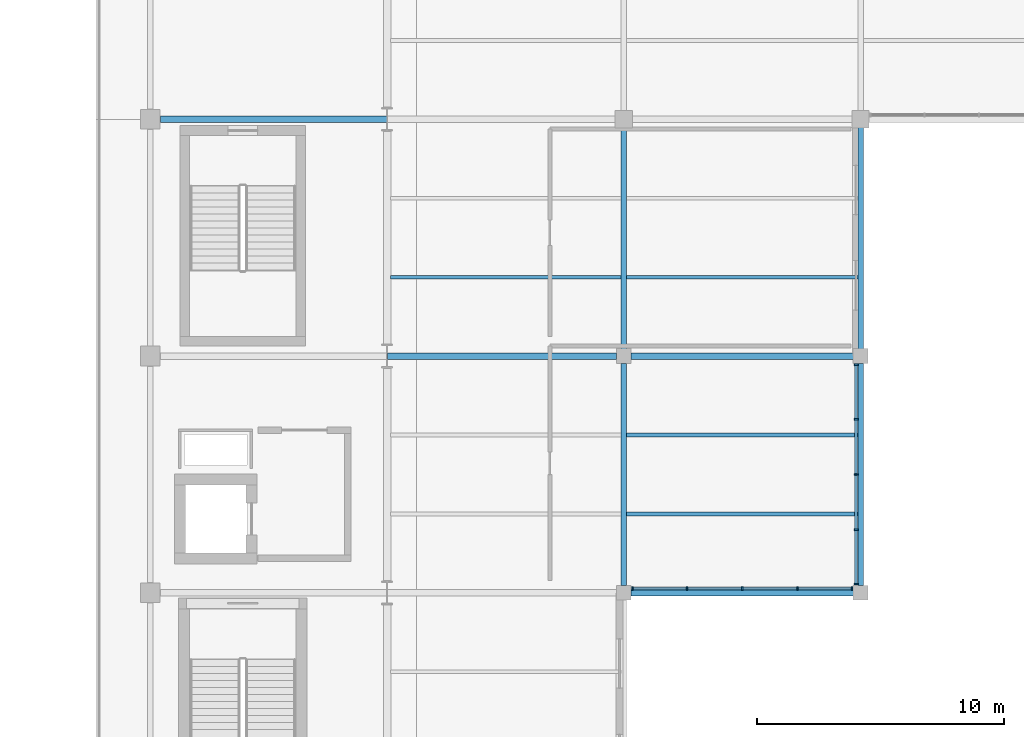
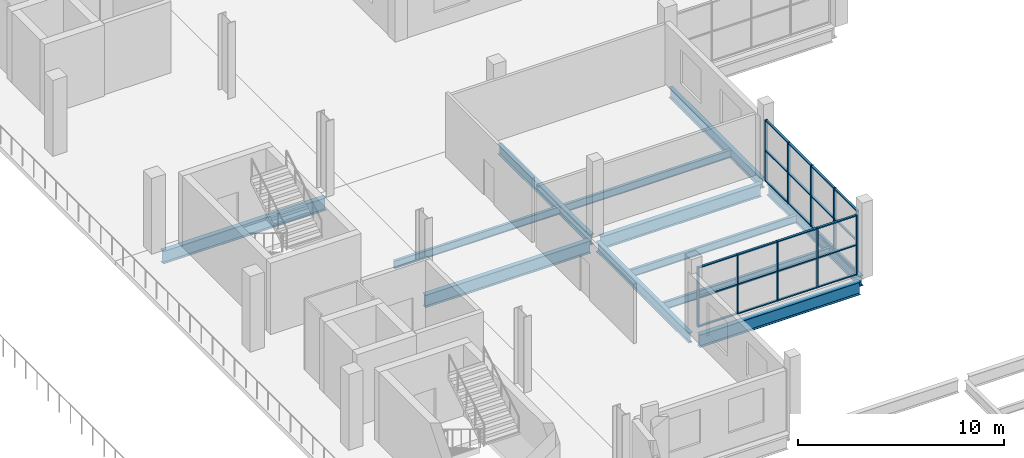
# One storey, part 22 of 75: 34 members, 12 beams, 2 elements without a shape of their own.
"""IFC4 building model written with IfcOpenShell, lengths in metres."""

from ifc_helpers import new_model, si_unit, direction, frame, origin, origin_2d, place, context, subcontext, project, spatial, rectangle, i_section, extrude, material, layer, layer_set, material_profile, profile_set, type_object, element, aggregate, save


model = new_model("IFC4")

# Units and contexts
model_context = context("Model", 3, precision=1e-05, world=origin(), true_north=direction((0.0, 1.0)))
body_context = subcontext(model_context, "Body", "Model", "MODEL_VIEW")
ifc_project = project(units=[si_unit("LENGTHUNIT", "METRE"), si_unit("AREAUNIT", "SQUARE_METRE"), si_unit("VOLUMEUNIT", "CUBIC_METRE"), si_unit("PLANEANGLEUNIT", "RADIAN"), si_unit("MASSUNIT", "GRAM", prefix="KILO")], contexts=[model_context])

# Site, building, storey
site_placement = place(None, origin())
site = spatial("IfcSite", under=ifc_project, at=site_placement, CompositionType="ELEMENT")
building_placement = place(site_placement, origin())
building = spatial("IfcBuilding", under=site, at=building_placement, Name="Caelomonte Colonnade Arena", CompositionType="ELEMENT")
storey_placement = place(building_placement, frame((0.0, 0.0, 14.10009765625)))
storey = spatial("IfcBuildingStorey", under=building, at=storey_placement, Name="L03", CompositionType="ELEMENT", Elevation=14.10009765625)

# Curtain wall, members
ifc_material_1 = material(Name="Bronze anodised aluminium and low-E glazing", Category="aluminium")
ifc_layer = layer(ifc_material_1, 0.179931640625)
ifc_layer_set = layer_set([ifc_layer], Name="Bronze anodised aluminium and low-E glazing")
curtain_wall_type = type_object("IfcCurtainWallType", Name="ENV-CW-CW-L03-96-36", PredefinedType="USERDEFINED", material=ifc_layer_set)
curtain_wall_1_placement = place(storey_placement, origin())
curtain_wall_1 = element("IfcCurtainWall", 1, at=curtain_wall_1_placement, inside=storey, type_object=curtain_wall_type, Name="L03 unitized curtain wall CW-L03-1776-0482", ObjectType="UNITIZED CURTAIN WALL", PredefinedType="USERDEFINED")
ifc_material_2 = material(Name="Bronze anodised aluminium AA6063-T6", Category="aluminium")
ifc_material_profile_1 = material_profile(ifc_material_2, rectangle(XDim=0.06494140625, YDim=0.14990234375, at=origin_2d()), Name="CWM-65X150")
ifc_profile_set_1 = profile_set([ifc_material_profile_1], Name="Bronze anodised aluminium AA6063-T6")
member_type_1 = type_object("IfcMemberType", Name="ENV-CW-MULL2", PredefinedType="MULLION", material=ifc_profile_set_1)
member_1_placement = place(storey_placement, frame((173.152587890625, 48.179931640625, 0.0), z_axis=(0.0, 0.0, 1.0), x_axis=(1.0, 0.0, 0.0)))
member_1 = element("IfcMember", 2, at=member_1_placement, type_object=member_type_1, Name="CW-L03-96-36 mullion 1", PredefinedType="MULLION", context=body_context, shape_type="SweptSolid", body=[
    extrude(rectangle(XDim=0.06494140625, YDim=0.14990234375, at=origin_2d()), origin(), (0.0, 0.0, 1.0), 3.556396484375),
])
member_2_placement = place(storey_placement, frame((175.360107421875, 48.179931640625, 0.0), z_axis=(0.0, 0.0, 1.0), x_axis=(1.0, 0.0, 0.0)))
member_2 = element("IfcMember", 3, at=member_2_placement, type_object=member_type_1, Name="CW-L03-96-36 mullion 2", PredefinedType="MULLION", context=body_context, shape_type="SweptSolid", body=[
    extrude(rectangle(XDim=0.06494140625, YDim=0.14990234375, at=origin_2d()), origin(), (0.0, 0.0, 1.0), 3.556396484375),
])
member_3_placement = place(storey_placement, frame((177.60009765625, 48.179931640625, 0.0), z_axis=(0.0, 0.0, 1.0), x_axis=(1.0, 0.0, 0.0)))
member_3 = element("IfcMember", 4, at=member_3_placement, type_object=member_type_1, Name="CW-L03-96-36 mullion 3", PredefinedType="MULLION", context=body_context, shape_type="SweptSolid", body=[
    extrude(rectangle(XDim=0.06494140625, YDim=0.14990234375, at=origin_2d()), origin(), (0.0, 0.0, 1.0), 3.556396484375),
])
member_4_placement = place(storey_placement, frame((179.840087890625, 48.179931640625, 0.0), z_axis=(0.0, 0.0, 1.0), x_axis=(1.0, 0.0, 0.0)))
member_4 = element("IfcMember", 5, at=member_4_placement, type_object=member_type_1, Name="CW-L03-96-36 mullion 4", PredefinedType="MULLION", context=body_context, shape_type="SweptSolid", body=[
    extrude(rectangle(XDim=0.06494140625, YDim=0.14990234375, at=origin_2d()), origin(), (0.0, 0.0, 1.0), 3.556396484375),
])
member_5_placement = place(storey_placement, frame((182.047607421875, 48.179931640625, 0.0), z_axis=(0.0, 0.0, 1.0), x_axis=(1.0, 0.0, 0.0)))
member_5 = element("IfcMember", 6, at=member_5_placement, type_object=member_type_1, Name="CW-L03-96-36 mullion 5", PredefinedType="MULLION", context=body_context, shape_type="SweptSolid", body=[
    extrude(rectangle(XDim=0.06494140625, YDim=0.14990234375, at=origin_2d()), origin(), (0.0, 0.0, 1.0), 3.556396484375),
])

curtain_wall_2_placement = place(storey_placement, origin())
curtain_wall_2 = element("IfcCurtainWall", 7, at=curtain_wall_2_placement, inside=storey, type_object=curtain_wall_type, Name="L03 unitized curtain wall CW-L03-1822-0528", ObjectType="UNITIZED CURTAIN WALL", PredefinedType="USERDEFINED")
member_6_placement = place(storey_placement, frame((182.219970703125, 48.3525390625, 0.0), z_axis=(0.0, 0.0, 1.0), x_axis=(0.0, 1.0, 0.0)))
member_6 = element("IfcMember", 8, at=member_6_placement, type_object=member_type_1, Name="CW-L03-96-36 mullion 1", PredefinedType="MULLION", context=body_context, shape_type="SweptSolid", body=[
    extrude(rectangle(XDim=0.06494140625, YDim=0.14990234375, at=origin_2d()), origin(), (0.0, 0.0, 1.0), 3.637939453125),
])
member_7_placement = place(storey_placement, frame((182.219970703125, 50.56005859375, 0.0), z_axis=(0.0, 0.0, 1.0), x_axis=(0.0, 1.0, 0.0)))
member_7 = element("IfcMember", 9, at=member_7_placement, type_object=member_type_1, Name="CW-L03-96-36 mullion 2", PredefinedType="MULLION", context=body_context, shape_type="SweptSolid", body=[
    extrude(rectangle(XDim=0.06494140625, YDim=0.14990234375, at=origin_2d()), origin(), (0.0, 0.0, 1.0), 3.637939453125),
])
member_8_placement = place(storey_placement, frame((182.219970703125, 52.800048828125, 0.0), z_axis=(0.0, 0.0, 1.0), x_axis=(0.0, 1.0, 0.0)))
member_8 = element("IfcMember", 10, at=member_8_placement, type_object=member_type_1, Name="CW-L03-96-36 mullion 3", PredefinedType="MULLION", context=body_context, shape_type="SweptSolid", body=[
    extrude(rectangle(XDim=0.06494140625, YDim=0.14990234375, at=origin_2d()), origin(), (0.0, 0.0, 1.0), 3.637939453125),
])
member_9_placement = place(storey_placement, frame((182.219970703125, 55.0400390625, 0.0), z_axis=(0.0, 0.0, 1.0), x_axis=(0.0, 1.0, 0.0)))
member_9 = element("IfcMember", 11, at=member_9_placement, type_object=member_type_1, Name="CW-L03-96-36 mullion 4", PredefinedType="MULLION", context=body_context, shape_type="SweptSolid", body=[
    extrude(rectangle(XDim=0.06494140625, YDim=0.14990234375, at=origin_2d()), origin(), (0.0, 0.0, 1.0), 3.637939453125),
])
member_10_placement = place(storey_placement, frame((182.219970703125, 57.24755859375, 0.0), z_axis=(0.0, 0.0, 1.0), x_axis=(0.0, 1.0, 0.0)))
member_10 = element("IfcMember", 12, at=member_10_placement, type_object=member_type_1, Name="CW-L03-96-36 mullion 5", PredefinedType="MULLION", context=body_context, shape_type="SweptSolid", body=[
    extrude(rectangle(XDim=0.06494140625, YDim=0.14990234375, at=origin_2d()), origin(), (0.0, 0.0, 1.0), 3.637939453125),
])

# Member
ifc_material_profile_2 = material_profile(ifc_material_2, rectangle(XDim=0.06494140625, YDim=0.1201171875, at=origin_2d()), Name="CWT-65X120")
ifc_profile_set_2 = profile_set([ifc_material_profile_2], Name="Bronze anodised aluminium AA6063-T6")
member_type_2 = type_object("IfcMemberType", Name="ENV-CW-TRAN2", PredefinedType="USERDEFINED", material=ifc_profile_set_2)
member_11_placement = place(storey_placement, frame((173.18505859375, 48.179931640625, 0.032470703125), z_axis=(1.0, 0.0, 0.0), x_axis=(0.0, 0.0, 1.0)))
member_11 = element("IfcMember", 13, at=member_11_placement, type_object=member_type_2, Name="CW-L03-96-36 transom 1.1", ObjectType="TRANSOM", PredefinedType="USERDEFINED", context=body_context, shape_type="SweptSolid", body=[
    extrude(rectangle(XDim=0.06494140625, YDim=0.1201171875, at=origin_2d()), origin(), (0.0, 0.0, 1.0), 2.142333984375),
])

member_12_placement = place(storey_placement, frame((173.18505859375, 48.179931640625, 1.7783203125), z_axis=(1.0, 0.0, 0.0), x_axis=(0.0, 0.0, 1.0)))
member_12 = element("IfcMember", 14, at=member_12_placement, type_object=member_type_2, Name="CW-L03-96-36 transom 1.2", ObjectType="TRANSOM", PredefinedType="USERDEFINED", context=body_context, shape_type="SweptSolid", body=[
    extrude(rectangle(XDim=0.06494140625, YDim=0.1201171875, at=origin_2d()), origin(), (0.0, 0.0, 1.0), 2.142333984375),
])

member_13_placement = place(storey_placement, frame((173.18505859375, 48.179931640625, 3.52392578125), z_axis=(1.0, 0.0, 0.0), x_axis=(0.0, 0.0, 1.0)))
member_13 = element("IfcMember", 15, at=member_13_placement, type_object=member_type_2, Name="CW-L03-96-36 transom 1.3", ObjectType="TRANSOM", PredefinedType="USERDEFINED", context=body_context, shape_type="SweptSolid", body=[
    extrude(rectangle(XDim=0.06494140625, YDim=0.1201171875, at=origin_2d()), origin(), (0.0, 0.0, 1.0), 2.142333984375),
])

member_14_placement = place(storey_placement, frame((175.392578125, 48.179931640625, 0.032470703125), z_axis=(1.0, 0.0, 0.0), x_axis=(0.0, 0.0, 1.0)))
member_14 = element("IfcMember", 16, at=member_14_placement, type_object=member_type_2, Name="CW-L03-96-36 transom 2.1", ObjectType="TRANSOM", PredefinedType="USERDEFINED", context=body_context, shape_type="SweptSolid", body=[
    extrude(rectangle(XDim=0.06494140625, YDim=0.1201171875, at=origin_2d()), origin(), (0.0, 0.0, 1.0), 2.1748046875),
])

member_15_placement = place(storey_placement, frame((175.392578125, 48.179931640625, 1.7783203125), z_axis=(1.0, 0.0, 0.0), x_axis=(0.0, 0.0, 1.0)))
member_15 = element("IfcMember", 17, at=member_15_placement, type_object=member_type_2, Name="CW-L03-96-36 transom 2.2", ObjectType="TRANSOM", PredefinedType="USERDEFINED", context=body_context, shape_type="SweptSolid", body=[
    extrude(rectangle(XDim=0.06494140625, YDim=0.1201171875, at=origin_2d()), origin(), (0.0, 0.0, 1.0), 2.1748046875),
])

member_16_placement = place(storey_placement, frame((175.392578125, 48.179931640625, 3.52392578125), z_axis=(1.0, 0.0, 0.0), x_axis=(0.0, 0.0, 1.0)))
member_16 = element("IfcMember", 18, at=member_16_placement, type_object=member_type_2, Name="CW-L03-96-36 transom 2.3", ObjectType="TRANSOM", PredefinedType="USERDEFINED", context=body_context, shape_type="SweptSolid", body=[
    extrude(rectangle(XDim=0.06494140625, YDim=0.1201171875, at=origin_2d()), origin(), (0.0, 0.0, 1.0), 2.1748046875),
])

member_17_placement = place(storey_placement, frame((177.632568359375, 48.179931640625, 0.032470703125), z_axis=(1.0, 0.0, 0.0), x_axis=(0.0, 0.0, 1.0)))
member_17 = element("IfcMember", 19, at=member_17_placement, type_object=member_type_2, Name="CW-L03-96-36 transom 3.1", ObjectType="TRANSOM", PredefinedType="USERDEFINED", context=body_context, shape_type="SweptSolid", body=[
    extrude(rectangle(XDim=0.06494140625, YDim=0.1201171875, at=origin_2d()), origin(), (0.0, 0.0, 1.0), 2.175048828125),
])

member_18_placement = place(storey_placement, frame((177.632568359375, 48.179931640625, 1.7783203125), z_axis=(1.0, 0.0, 0.0), x_axis=(0.0, 0.0, 1.0)))
member_18 = element("IfcMember", 20, at=member_18_placement, type_object=member_type_2, Name="CW-L03-96-36 transom 3.2", ObjectType="TRANSOM", PredefinedType="USERDEFINED", context=body_context, shape_type="SweptSolid", body=[
    extrude(rectangle(XDim=0.06494140625, YDim=0.1201171875, at=origin_2d()), origin(), (0.0, 0.0, 1.0), 2.175048828125),
])

member_19_placement = place(storey_placement, frame((177.632568359375, 48.179931640625, 3.52392578125), z_axis=(1.0, 0.0, 0.0), x_axis=(0.0, 0.0, 1.0)))
member_19 = element("IfcMember", 21, at=member_19_placement, type_object=member_type_2, Name="CW-L03-96-36 transom 3.3", ObjectType="TRANSOM", PredefinedType="USERDEFINED", context=body_context, shape_type="SweptSolid", body=[
    extrude(rectangle(XDim=0.06494140625, YDim=0.1201171875, at=origin_2d()), origin(), (0.0, 0.0, 1.0), 2.175048828125),
])

member_20_placement = place(storey_placement, frame((179.87255859375, 48.179931640625, 0.032470703125), z_axis=(1.0, 0.0, 0.0), x_axis=(0.0, 0.0, 1.0)))
member_20 = element("IfcMember", 22, at=member_20_placement, type_object=member_type_2, Name="CW-L03-96-36 transom 4.1", ObjectType="TRANSOM", PredefinedType="USERDEFINED", context=body_context, shape_type="SweptSolid", body=[
    extrude(rectangle(XDim=0.06494140625, YDim=0.1201171875, at=origin_2d()), origin(), (0.0, 0.0, 1.0), 2.142333984375),
])

member_21_placement = place(storey_placement, frame((179.87255859375, 48.179931640625, 1.7783203125), z_axis=(1.0, 0.0, 0.0), x_axis=(0.0, 0.0, 1.0)))
member_21 = element("IfcMember", 23, at=member_21_placement, type_object=member_type_2, Name="CW-L03-96-36 transom 4.2", ObjectType="TRANSOM", PredefinedType="USERDEFINED", context=body_context, shape_type="SweptSolid", body=[
    extrude(rectangle(XDim=0.06494140625, YDim=0.1201171875, at=origin_2d()), origin(), (0.0, 0.0, 1.0), 2.142333984375),
])

member_22_placement = place(storey_placement, frame((179.87255859375, 48.179931640625, 3.52392578125), z_axis=(1.0, 0.0, 0.0), x_axis=(0.0, 0.0, 1.0)))
member_22 = element("IfcMember", 24, at=member_22_placement, type_object=member_type_2, Name="CW-L03-96-36 transom 4.3", ObjectType="TRANSOM", PredefinedType="USERDEFINED", context=body_context, shape_type="SweptSolid", body=[
    extrude(rectangle(XDim=0.06494140625, YDim=0.1201171875, at=origin_2d()), origin(), (0.0, 0.0, 1.0), 2.142333984375),
])

aggregate(curtain_wall_1, [member_1, member_2, member_3, member_4, member_5, member_11, member_12, member_13, member_14, member_15, member_16, member_17, member_18, member_19, member_20, member_21, member_22])

member_23_placement = place(storey_placement, frame((182.219970703125, 48.385009765625, 0.032470703125), z_axis=(0.0, 1.0, 0.0), x_axis=(0.0, 0.0, 1.0)))
member_23 = element("IfcMember", 25, at=member_23_placement, type_object=member_type_2, Name="CW-L03-96-36 transom 1.1", ObjectType="TRANSOM", PredefinedType="USERDEFINED", context=body_context, shape_type="SweptSolid", body=[
    extrude(rectangle(XDim=0.06494140625, YDim=0.1201171875, at=origin_2d()), origin(), (0.0, 0.0, 1.0), 2.142578125),
])

member_24_placement = place(storey_placement, frame((182.219970703125, 48.385009765625, 1.81884765625), z_axis=(0.0, 1.0, 0.0), x_axis=(0.0, 0.0, 1.0)))
member_24 = element("IfcMember", 26, at=member_24_placement, type_object=member_type_2, Name="CW-L03-96-36 transom 1.2", ObjectType="TRANSOM", PredefinedType="USERDEFINED", context=body_context, shape_type="SweptSolid", body=[
    extrude(rectangle(XDim=0.06494140625, YDim=0.1201171875, at=origin_2d()), origin(), (0.0, 0.0, 1.0), 2.142578125),
])

member_25_placement = place(storey_placement, frame((182.219970703125, 48.385009765625, 3.60546875), z_axis=(0.0, 1.0, 0.0), x_axis=(0.0, 0.0, 1.0)))
member_25 = element("IfcMember", 27, at=member_25_placement, type_object=member_type_2, Name="CW-L03-96-36 transom 1.3", ObjectType="TRANSOM", PredefinedType="USERDEFINED", context=body_context, shape_type="SweptSolid", body=[
    extrude(rectangle(XDim=0.06494140625, YDim=0.1201171875, at=origin_2d()), origin(), (0.0, 0.0, 1.0), 2.142578125),
])

member_26_placement = place(storey_placement, frame((182.219970703125, 50.592529296875, 0.032470703125), z_axis=(0.0, 1.0, 0.0), x_axis=(0.0, 0.0, 1.0)))
member_26 = element("IfcMember", 28, at=member_26_placement, type_object=member_type_2, Name="CW-L03-96-36 transom 2.1", ObjectType="TRANSOM", PredefinedType="USERDEFINED", context=body_context, shape_type="SweptSolid", body=[
    extrude(rectangle(XDim=0.06494140625, YDim=0.1201171875, at=origin_2d()), origin(), (0.0, 0.0, 1.0), 2.175048828125),
])

member_27_placement = place(storey_placement, frame((182.219970703125, 50.592529296875, 1.81884765625), z_axis=(0.0, 1.0, 0.0), x_axis=(0.0, 0.0, 1.0)))
member_27 = element("IfcMember", 29, at=member_27_placement, type_object=member_type_2, Name="CW-L03-96-36 transom 2.2", ObjectType="TRANSOM", PredefinedType="USERDEFINED", context=body_context, shape_type="SweptSolid", body=[
    extrude(rectangle(XDim=0.06494140625, YDim=0.1201171875, at=origin_2d()), origin(), (0.0, 0.0, 1.0), 2.175048828125),
])

member_28_placement = place(storey_placement, frame((182.219970703125, 50.592529296875, 3.60546875), z_axis=(0.0, 1.0, 0.0), x_axis=(0.0, 0.0, 1.0)))
member_28 = element("IfcMember", 30, at=member_28_placement, type_object=member_type_2, Name="CW-L03-96-36 transom 2.3", ObjectType="TRANSOM", PredefinedType="USERDEFINED", context=body_context, shape_type="SweptSolid", body=[
    extrude(rectangle(XDim=0.06494140625, YDim=0.1201171875, at=origin_2d()), origin(), (0.0, 0.0, 1.0), 2.175048828125),
])

member_29_placement = place(storey_placement, frame((182.219970703125, 52.83251953125, 0.032470703125), z_axis=(0.0, 1.0, 0.0), x_axis=(0.0, 0.0, 1.0)))
member_29 = element("IfcMember", 31, at=member_29_placement, type_object=member_type_2, Name="CW-L03-96-36 transom 3.1", ObjectType="TRANSOM", PredefinedType="USERDEFINED", context=body_context, shape_type="SweptSolid", body=[
    extrude(rectangle(XDim=0.06494140625, YDim=0.1201171875, at=origin_2d()), origin(), (0.0, 0.0, 1.0), 2.175048828125),
])

member_30_placement = place(storey_placement, frame((182.219970703125, 52.83251953125, 1.81884765625), z_axis=(0.0, 1.0, 0.0), x_axis=(0.0, 0.0, 1.0)))
member_30 = element("IfcMember", 32, at=member_30_placement, type_object=member_type_2, Name="CW-L03-96-36 transom 3.2", ObjectType="TRANSOM", PredefinedType="USERDEFINED", context=body_context, shape_type="SweptSolid", body=[
    extrude(rectangle(XDim=0.06494140625, YDim=0.1201171875, at=origin_2d()), origin(), (0.0, 0.0, 1.0), 2.175048828125),
])

member_31_placement = place(storey_placement, frame((182.219970703125, 52.83251953125, 3.60546875), z_axis=(0.0, 1.0, 0.0), x_axis=(0.0, 0.0, 1.0)))
member_31 = element("IfcMember", 33, at=member_31_placement, type_object=member_type_2, Name="CW-L03-96-36 transom 3.3", ObjectType="TRANSOM", PredefinedType="USERDEFINED", context=body_context, shape_type="SweptSolid", body=[
    extrude(rectangle(XDim=0.06494140625, YDim=0.1201171875, at=origin_2d()), origin(), (0.0, 0.0, 1.0), 2.175048828125),
])

member_32_placement = place(storey_placement, frame((182.219970703125, 55.072509765625, 0.032470703125), z_axis=(0.0, 1.0, 0.0), x_axis=(0.0, 0.0, 1.0)))
member_32 = element("IfcMember", 34, at=member_32_placement, type_object=member_type_2, Name="CW-L03-96-36 transom 4.1", ObjectType="TRANSOM", PredefinedType="USERDEFINED", context=body_context, shape_type="SweptSolid", body=[
    extrude(rectangle(XDim=0.06494140625, YDim=0.1201171875, at=origin_2d()), origin(), (0.0, 0.0, 1.0), 2.142578125),
])

member_33_placement = place(storey_placement, frame((182.219970703125, 55.072509765625, 1.81884765625), z_axis=(0.0, 1.0, 0.0), x_axis=(0.0, 0.0, 1.0)))
member_33 = element("IfcMember", 35, at=member_33_placement, type_object=member_type_2, Name="CW-L03-96-36 transom 4.2", ObjectType="TRANSOM", PredefinedType="USERDEFINED", context=body_context, shape_type="SweptSolid", body=[
    extrude(rectangle(XDim=0.06494140625, YDim=0.1201171875, at=origin_2d()), origin(), (0.0, 0.0, 1.0), 2.142578125),
])

member_34_placement = place(storey_placement, frame((182.219970703125, 55.072509765625, 3.60546875), z_axis=(0.0, 1.0, 0.0), x_axis=(0.0, 0.0, 1.0)))
member_34 = element("IfcMember", 36, at=member_34_placement, type_object=member_type_2, Name="CW-L03-96-36 transom 4.3", ObjectType="TRANSOM", PredefinedType="USERDEFINED", context=body_context, shape_type="SweptSolid", body=[
    extrude(rectangle(XDim=0.06494140625, YDim=0.1201171875, at=origin_2d()), origin(), (0.0, 0.0, 1.0), 2.142578125),
])

aggregate(curtain_wall_2, [member_6, member_7, member_8, member_9, member_10, member_23, member_24, member_25, member_26, member_27, member_28, member_29, member_30, member_31, member_32, member_33, member_34])

# Beams
ifc_material_3 = material(Name="Wide-flange steel ASTM A992 Grade 50", Category="steel")
ifc_material_profile_3 = material_profile(ifc_material_3, i_section(OverallWidth=0.228271484375, OverallDepth=0.607177734375, WebThickness=0.01123046875, FlangeThickness=0.017333984375, FilletRadius=0.0126953125, at=origin_2d()), Name="W24X76")
ifc_profile_set_3 = profile_set([ifc_material_profile_3], Name="Wide-flange steel ASTM A992 Grade 50")
beam_type_1 = type_object("IfcBeamType", Name="STR-BM-GIRD24", PredefinedType="BEAM", material=ifc_profile_set_3)
beam_1_placement = place(storey_placement, frame((172.800048828125, 48.2919921875, -0.58349609375), z_axis=(0.0, 1.0, 0.0), x_axis=(-1.0, 0.0, 0.0)))
element("IfcBeam", 37, at=beam_1_placement, inside=storey, type_object=beam_type_1, Name="L03 girder BMY-L03-1728-0480", PredefinedType="BEAM", context=body_context, shape_type="SweptSolid", body=[
    extrude(i_section(OverallWidth=0.228271484375, OverallDepth=0.607177734375, WebThickness=0.01123046875, FlangeThickness=0.017333984375, FilletRadius=0.0126953125, at=origin_2d()), origin(), (0.0, 0.0, 1.0), 9.01611328125),
])
beam_2_placement = place(storey_placement, frame((172.800048828125, 57.89208984375, -0.58349609375), z_axis=(0.0, 1.0, 0.0), x_axis=(-1.0, 0.0, 0.0)))
element("IfcBeam", 38, at=beam_2_placement, inside=storey, type_object=beam_type_1, Name="L03 girder BMY-L03-1728-0576", PredefinedType="BEAM", context=body_context, shape_type="SweptSolid", body=[
    extrude(i_section(OverallWidth=0.228271484375, OverallDepth=0.607177734375, WebThickness=0.01123046875, FlangeThickness=0.017333984375, FilletRadius=0.0126953125, at=origin_2d()), origin(), (0.0, 0.0, 1.0), 8.9658203125),
])
beam_3_placement = place(storey_placement, frame((182.39990234375, 48.2919921875, -0.58349609375), z_axis=(0.0, 1.0, 0.0), x_axis=(-1.0, 0.0, 0.0)))
element("IfcBeam", 39, at=beam_3_placement, inside=storey, type_object=beam_type_1, Name="L03 girder BMY-L03-1824-0480", PredefinedType="BEAM", context=body_context, shape_type="SweptSolid", body=[
    extrude(i_section(OverallWidth=0.228271484375, OverallDepth=0.607177734375, WebThickness=0.01123046875, FlangeThickness=0.017333984375, FilletRadius=0.0126953125, at=origin_2d()), origin(), (0.0, 0.0, 1.0), 9.01611328125),
])
beam_4_placement = place(storey_placement, frame((182.39990234375, 57.89208984375, -0.58349609375), z_axis=(0.0, 1.0, 0.0), x_axis=(-1.0, 0.0, 0.0)))
element("IfcBeam", 40, at=beam_4_placement, inside=storey, type_object=beam_type_1, Name="L03 girder BMY-L03-1824-0576", PredefinedType="BEAM", context=body_context, shape_type="SweptSolid", body=[
    extrude(i_section(OverallWidth=0.228271484375, OverallDepth=0.607177734375, WebThickness=0.01123046875, FlangeThickness=0.017333984375, FilletRadius=0.0126953125, at=origin_2d()), origin(), (0.0, 0.0, 1.0), 8.9658203125),
])
ifc_material_profile_4 = material_profile(ifc_material_3, i_section(OverallWidth=0.265380859375, OverallDepth=0.75439453125, WebThickness=0.01318359375, FlangeThickness=0.01708984375, FilletRadius=0.0166015625, at=origin_2d()), Name="W30X99")
ifc_profile_set_4 = profile_set([ifc_material_profile_4], Name="Wide-flange steel ASTM A992 Grade 50")
beam_type_2 = type_object("IfcBeamType", Name="STR-BM-GIRD30B", PredefinedType="BEAM", material=ifc_profile_set_4)
beam_5_placement = place(storey_placement, frame((173.092041015625, 48.0, -0.6572265625), z_axis=(1.0, 0.0, 0.0), x_axis=(0.0, 1.0, 0.0)))
element("IfcBeam", 41, at=beam_5_placement, inside=storey, type_object=beam_type_2, Name="L03 girder BMX-L03-1728-0480", PredefinedType="BEAM", context=body_context, shape_type="SweptSolid", body=[
    extrude(i_section(OverallWidth=0.265380859375, OverallDepth=0.75439453125, WebThickness=0.01318359375, FlangeThickness=0.01708984375, FilletRadius=0.0166015625, at=origin_2d()), origin(), (0.0, 0.0, 1.0), 9.015869140625),
])
beam_6_placement = place(storey_placement, frame((163.2119140625, 57.60009765625, -0.6572265625), z_axis=(1.0, 0.0, 0.0), x_axis=(0.0, 1.0, 0.0)))
element("IfcBeam", 42, at=beam_6_placement, inside=storey, type_object=beam_type_2, Name="L03 girder BMX-L03-1632-0576", PredefinedType="BEAM", context=body_context, shape_type="SweptSolid", body=[
    extrude(i_section(OverallWidth=0.265380859375, OverallDepth=0.75439453125, WebThickness=0.01318359375, FlangeThickness=0.01708984375, FilletRadius=0.0166015625, at=origin_2d()), origin(), (0.0, 0.0, 1.0), 9.296142578125),
])
beam_7_placement = place(storey_placement, frame((173.092041015625, 57.60009765625, -0.6572265625), z_axis=(1.0, 0.0, 0.0), x_axis=(0.0, 1.0, 0.0)))
element("IfcBeam", 43, at=beam_7_placement, inside=storey, type_object=beam_type_2, Name="L03 girder BMX-L03-1728-0576", PredefinedType="BEAM", context=body_context, shape_type="SweptSolid", body=[
    extrude(i_section(OverallWidth=0.265380859375, OverallDepth=0.75439453125, WebThickness=0.01318359375, FlangeThickness=0.01708984375, FilletRadius=0.0166015625, at=origin_2d()), origin(), (0.0, 0.0, 1.0), 9.015869140625),
])
beam_8_placement = place(storey_placement, frame((154.01708984375, 67.199951171875, -0.6572265625), z_axis=(1.0, 0.0, 0.0), x_axis=(0.0, 1.0, 0.0)))
element("IfcBeam", 44, at=beam_8_placement, inside=storey, type_object=beam_type_2, Name="L03 girder BMX-L03-1536-0672", PredefinedType="BEAM", context=body_context, shape_type="SweptSolid", body=[
    extrude(i_section(OverallWidth=0.265380859375, OverallDepth=0.75439453125, WebThickness=0.01318359375, FlangeThickness=0.01708984375, FilletRadius=0.0166015625, at=origin_2d()), origin(), (0.0, 0.0, 1.0), 9.171142578125),
])
ifc_material_profile_5 = material_profile(ifc_material_3, i_section(OverallWidth=0.15283203125, OverallDepth=0.45458984375, WebThickness=0.008056640625, FlangeThickness=0.01318359375, FilletRadius=0.01025390625, at=origin_2d()), Name="W18X40")
ifc_profile_set_5 = profile_set([ifc_material_profile_5], Name="Wide-flange steel ASTM A992 Grade 50")
beam_type_3 = type_object("IfcBeamType", Name="STR-BM-JOIST18B", PredefinedType="JOIST", material=ifc_profile_set_5)
beam_9_placement = place(storey_placement, frame((163.348876953125, 60.800048828125, -0.50732421875), z_axis=(1.0, 0.0, 0.0), x_axis=(0.0, 1.0, 0.0)))
element("IfcBeam", 45, at=beam_9_placement, inside=storey, type_object=beam_type_3, Name="L03 secondary joist 1", PredefinedType="JOIST", context=body_context, shape_type="SweptSolid", body=[
    extrude(i_section(OverallWidth=0.15283203125, OverallDepth=0.45458984375, WebThickness=0.008056640625, FlangeThickness=0.01318359375, FilletRadius=0.01025390625, at=origin_2d()), origin(), (0.0, 0.0, 1.0), 9.342041015625),
])
for number, where, z_axis, x_axis, name in (
    (46, (172.9091796875, 51.199951171875, -0.50732421875), (1.0, 0.0, 0.0), (0.0, 1.0, 0.0), "L03 secondary joist 1"),
    (47, (172.9091796875, 54.39990234375, -0.50732421875), (1.0, 0.0, 0.0), (0.0, 1.0, 0.0), "L03 secondary joist 2"),
    (48, (172.9091796875, 60.800048828125, -0.50732421875), (1.0, 0.0, 0.0), (0.0, 1.0, 0.0), "L03 secondary joist 1"),
):
    element("IfcBeam", number, at=place(storey_placement, frame(where, z_axis=z_axis, x_axis=x_axis)), inside=storey, type_object=beam_type_3, Name=name, PredefinedType="JOIST", context=body_context, shape_type="SweptSolid", body=[
        extrude(i_section(OverallWidth=0.15283203125, OverallDepth=0.45458984375, WebThickness=0.008056640625, FlangeThickness=0.01318359375, FilletRadius=0.01025390625, at=origin_2d()), origin(), (0.0, 0.0, 1.0), 9.3818359375),
    ])

save(model, "model.ifc")
